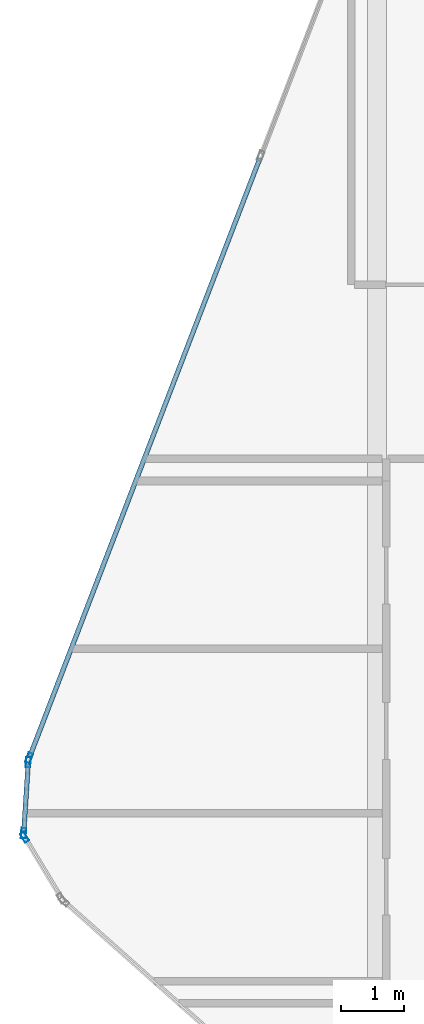
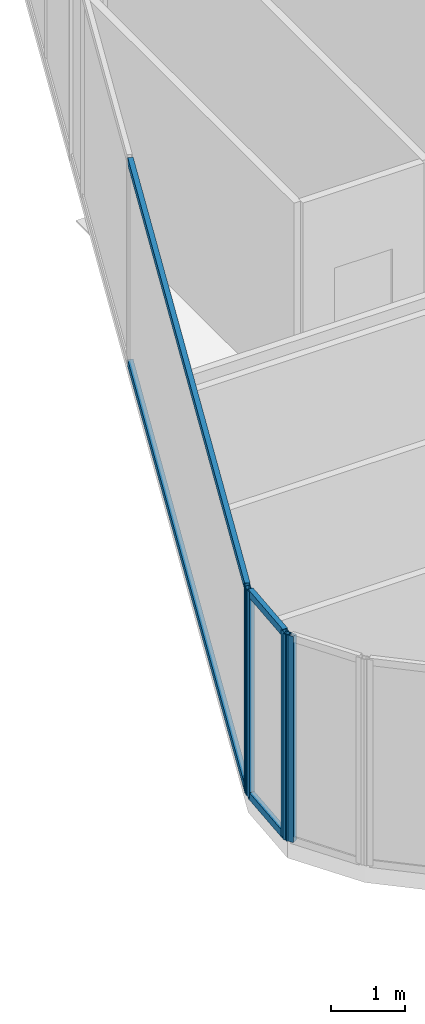
# One storey, part 8 of 27: 8 members, 3 elements without a shape of their own.
"""IFC4 building model written with IfcOpenShell, lengths in metres."""

from ifc_helpers import new_model, si_unit, direction, frame, origin, origin_2d, place, context, subcontext, project, spatial, hollow_rectangle, extrude, material, layer, layer_set, material_profile, profile_set, type_object, element, aggregate, save


model = new_model("IFC4")

# Units and contexts
model_context = context("Model", 3, precision=1e-05, world=origin(), true_north=direction((0.0, 1.0)))
body_context = subcontext(model_context, "Body", "Model", "MODEL_VIEW")
ifc_project = project(units=[si_unit("LENGTHUNIT", "METRE"), si_unit("AREAUNIT", "SQUARE_METRE"), si_unit("VOLUMEUNIT", "CUBIC_METRE"), si_unit("PLANEANGLEUNIT", "RADIAN"), si_unit("MASSUNIT", "GRAM", prefix="KILO")], contexts=[model_context])

# Site, building, storey
site_placement = place(None, origin())
site = spatial("IfcSite", under=ifc_project, at=site_placement, CompositionType="ELEMENT")
building_placement = place(site_placement, origin())
building = spatial("IfcBuilding", under=site, at=building_placement, Name="Keshet Zoharim Tower", CompositionType="ELEMENT")
storey_placement = place(building_placement, frame((0.0, 0.0, 247.300048828125)))
storey = spatial("IfcBuildingStorey", under=building, at=storey_placement, Name="L61", CompositionType="ELEMENT", Elevation=247.300048828125)

# Curtain wall, member
ifc_material = material(Name="Aluminium 6063-T6", Category="aluminium")
ifc_layer = layer(ifc_material, 0.260009765625)
ifc_layer_set = layer_set([ifc_layer], Name="Aluminium 6063-T6")
curtain_wall_type = type_object("IfcCurtainWallType", Name="CW-SYS-06", PredefinedType="NOTDEFINED", material=ifc_layer_set)
curtain_wall_1_placement = place(storey_placement, origin())
curtain_wall_1 = element("IfcCurtainWall", 1, at=curtain_wall_1_placement, inside=storey, type_object=curtain_wall_type, Name="L61 Unitised Curtain Wall 01", PredefinedType="NOTDEFINED")
ifc_material_profile_1 = material_profile(ifc_material, hollow_rectangle(XDim=0.074951171875, YDim=0.159912109375, WallThickness=0.00390625, at=origin_2d()), Name="MUL-75x160")
ifc_profile_set_1 = profile_set([ifc_material_profile_1], Name="Aluminium 6063-T6")
member_type_1 = type_object("IfcMemberType", Name="CWM-M15", PredefinedType="MULLION", material=ifc_profile_set_1)
member_1_placement = place(storey_placement, frame((3.43798828125, 22.77197265625, 0.0), z_axis=(0.0, 0.0, 1.0), x_axis=(-0.856826433805, -0.515604947933, 0.0)))
member_1 = element("IfcMember", 2, at=member_1_placement, type_object=member_type_1, Name="CW-06 mullion 2", PredefinedType="MULLION", context=body_context, shape_type="SweptSolid", body=[
    extrude(hollow_rectangle(XDim=0.074951171875, YDim=0.159912109375, WallThickness=0.00390625, at=origin_2d()), origin(), (0.0, 0.0, 1.0), 3.389892578125),
])
aggregate(curtain_wall_1, [member_1])

# Curtain wall, members
curtain_wall_2_placement = place(storey_placement, origin())
curtain_wall_2 = element("IfcCurtainWall", 3, at=curtain_wall_2_placement, inside=storey, type_object=curtain_wall_type, Name="L61 Unitised Curtain Wall 02", PredefinedType="NOTDEFINED")
member_2_placement = place(storey_placement, frame((3.42236328125, 22.8369140625, 0.0), z_axis=(0.0, 0.0, 1.0), x_axis=(-0.997916617186, 0.064516859374, 0.0)))
member_2 = element("IfcMember", 4, at=member_2_placement, type_object=member_type_1, Name="CW-06 mullion 1", PredefinedType="MULLION", context=body_context, shape_type="SweptSolid", body=[
    extrude(hollow_rectangle(XDim=0.074951171875, YDim=0.159912109375, WallThickness=0.00390625, at=origin_2d()), origin(), (0.0, 0.0, 1.0), 3.389892578125),
])
member_3_placement = place(storey_placement, frame((3.49462890625, 23.9580078125, 0.0), z_axis=(0.0, 0.0, 1.0), x_axis=(-0.997916617186, 0.064516859374, 0.0)))
member_3 = element("IfcMember", 5, at=member_3_placement, type_object=member_type_1, Name="CW-06 mullion 2", PredefinedType="MULLION", context=body_context, shape_type="SweptSolid", body=[
    extrude(hollow_rectangle(XDim=0.074951171875, YDim=0.159912109375, WallThickness=0.00390625, at=origin_2d()), origin(), (0.0, 0.0, 1.0), 3.389892578125),
])

# Curtain wall, member
curtain_wall_3_placement = place(storey_placement, origin())
curtain_wall_3 = element("IfcCurtainWall", 6, at=curtain_wall_3_placement, inside=storey, type_object=curtain_wall_type, Name="L61 Unitised Curtain Wall 03", PredefinedType="NOTDEFINED")
member_4_placement = place(storey_placement, frame((3.509521484375, 24.025634765625, 0.0), z_axis=(0.0, 0.0, 1.0), x_axis=(-0.933341404361, 0.358990003907, 0.0)))
member_4 = element("IfcMember", 7, at=member_4_placement, type_object=member_type_1, Name="CW-06 mullion 1", PredefinedType="MULLION", context=body_context, shape_type="SweptSolid", body=[
    extrude(hollow_rectangle(XDim=0.074951171875, YDim=0.159912109375, WallThickness=0.00390625, at=origin_2d()), origin(), (0.0, 0.0, 1.0), 3.389892578125),
])

# Member
ifc_material_profile_2 = material_profile(ifc_material, hollow_rectangle(XDim=0.074951171875, YDim=0.1201171875, WallThickness=0.00390625, at=origin_2d()), Name="TRN-75x120")
ifc_profile_set_2 = profile_set([ifc_material_profile_2], Name="Aluminium 6063-T6")
member_type_2 = type_object("IfcMemberType", Name="CWT-T12", PredefinedType="USERDEFINED", material=ifc_profile_set_2)
member_5_placement = place(storey_placement, frame((3.424560546875, 22.871826171875, 0.034912109375), z_axis=(0.064426947155, 0.997922426083, 0.0), x_axis=(-0.997922426083, 0.064426947155, 0.0)))
member_5 = element("IfcMember", 8, at=member_5_placement, type_object=member_type_2, Name="CW-06 transom 1.1", ObjectType="TRANSOM", PredefinedType="USERDEFINED", context=body_context, shape_type="SweptSolid", body=[
    extrude(hollow_rectangle(XDim=0.074951171875, YDim=0.1201171875, WallThickness=0.00390625, at=origin_2d()), origin(), (0.0, 0.0, 1.0), 1.053466796875),
])

member_6_placement = place(storey_placement, frame((3.424560546875, 22.871826171875, 3.35498046875), z_axis=(0.064426947155, 0.997922426083, 0.0), x_axis=(-0.997922426083, 0.064426947155, 0.0)))
member_6 = element("IfcMember", 9, at=member_6_placement, type_object=member_type_2, Name="CW-06 transom 1.2", ObjectType="TRANSOM", PredefinedType="USERDEFINED", context=body_context, shape_type="SweptSolid", body=[
    extrude(hollow_rectangle(XDim=0.074951171875, YDim=0.1201171875, WallThickness=0.00390625, at=origin_2d()), origin(), (0.0, 0.0, 1.0), 1.053466796875),
])

aggregate(curtain_wall_2, [member_2, member_3, member_5, member_6])

member_7_placement = place(storey_placement, frame((3.522216796875, 24.058349609375, 0.034912109375), z_axis=(0.358993631387, 0.93334000912, 0.0), x_axis=(-0.93334000912, 0.358993631387, 0.0)))
member_7 = element("IfcMember", 10, at=member_7_placement, type_object=member_type_2, Name="CW-06 transom 1.1", ObjectType="TRANSOM", PredefinedType="USERDEFINED", context=body_context, shape_type="SweptSolid", body=[
    extrude(hollow_rectangle(XDim=0.074951171875, YDim=0.1201171875, WallThickness=0.00390625, at=origin_2d()), origin(), (0.0, 0.0, 1.0), 10.1181640625),
])

member_8_placement = place(storey_placement, frame((3.522216796875, 24.058349609375, 3.35498046875), z_axis=(0.358993631387, 0.93334000912, 0.0), x_axis=(-0.93334000912, 0.358993631387, 0.0)))
member_8 = element("IfcMember", 11, at=member_8_placement, type_object=member_type_2, Name="CW-06 transom 1.2", ObjectType="TRANSOM", PredefinedType="USERDEFINED", context=body_context, shape_type="SweptSolid", body=[
    extrude(hollow_rectangle(XDim=0.074951171875, YDim=0.1201171875, WallThickness=0.00390625, at=origin_2d()), origin(), (0.0, 0.0, 1.0), 10.1181640625),
])

aggregate(curtain_wall_3, [member_4, member_7, member_8])

save(model, "model.ifc")
